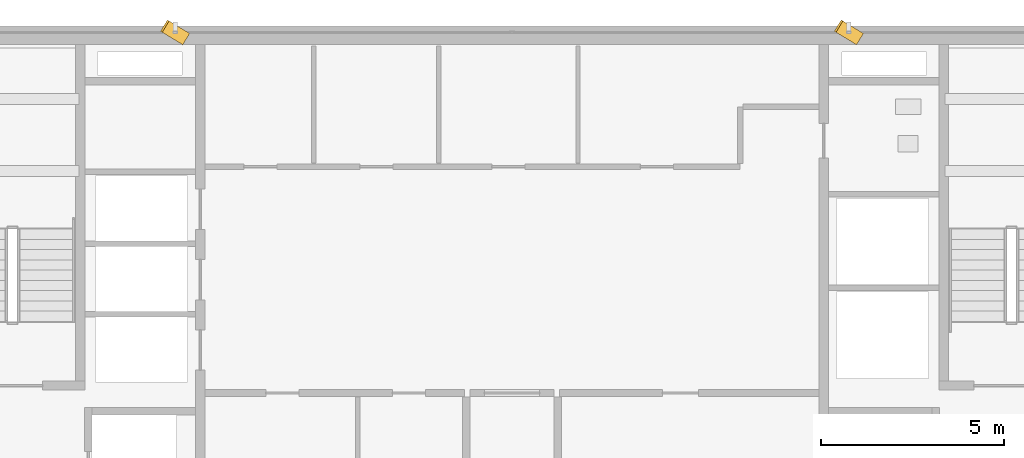
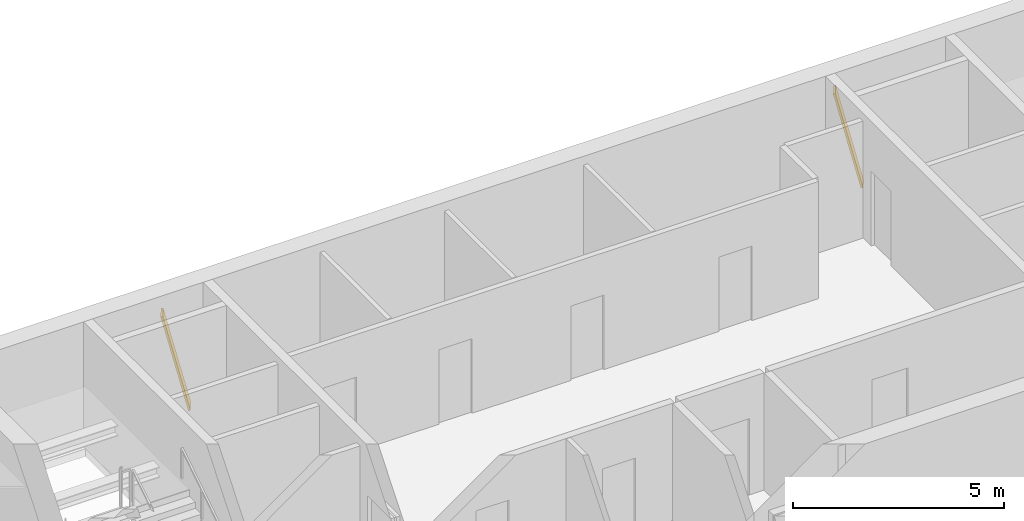
# One storey, part 28 of 29: 2 shading devices.
"""IFC4 building model written with IfcOpenShell, lengths in metres."""

from ifc_helpers import new_model, si_unit, direction, frame, origin, origin_2d, place, context, subcontext, project, spatial, rectangle, extrude, source, transform, mapped, material, material_profile, profile_set, type_object, element, save


model = new_model("IFC4")

# Units and contexts
model_context = context("Model", 3, precision=1e-05, world=origin(), true_north=direction((0.0, 1.0)))
body_context = subcontext(model_context, "Body", "Model", "MODEL_VIEW")
ifc_project = project(units=[si_unit("LENGTHUNIT", "METRE"), si_unit("AREAUNIT", "SQUARE_METRE"), si_unit("VOLUMEUNIT", "CUBIC_METRE"), si_unit("PLANEANGLEUNIT", "RADIAN"), si_unit("MASSUNIT", "GRAM", prefix="KILO")], contexts=[model_context])

# Site, building, storey
site_placement = place(None, origin())
site = spatial("IfcSite", under=ifc_project, at=site_placement, CompositionType="ELEMENT")
building_placement = place(site_placement, origin())
building = spatial("IfcBuilding", under=site, at=building_placement, Name="Sumidabori Civic Tower", CompositionType="ELEMENT")
storey_placement = place(building_placement, frame((0.0, 0.0, 207.199951171875)))
storey = spatial("IfcBuildingStorey", under=building, at=storey_placement, Name="L53", CompositionType="ELEMENT", Elevation=207.199951171875)

# Shading devices
ifc_material = material(Name="Anodised Bronze Aluminium AW-6063-T6", Category="aluminium")
ifc_material_profile = material_profile(ifc_material, rectangle(XDim=0.054931640625, YDim=0.360107421875, at=origin_2d()), Name="BRONZE FIN 360x55")
ifc_profile_set = profile_set([ifc_material_profile], Name="Anodised Bronze Aluminium AW-6063-T6")
shading_device_type = type_object("IfcShadingDeviceType", Name="SH-FIN-360", PredefinedType="USERDEFINED", material=ifc_profile_set)
shared_shape = source(origin(), body_context, "Body", "SweptSolid", [
    extrude(rectangle(XDim=0.054931640625, YDim=0.360107421875, at=origin_2d()), origin(), (0.0, 0.0, 1.0), 2.7783203125),
])
for number, where, z_axis, x_axis, name in (
    (1, (9.465087890625, 23.7099609375, 0.02001953125), (-0.201581748781, 0.122407748933, 0.971792746196), (0.830641884105, -0.504395878186, 0.235836507862), "Bronze Anodised Diagonal Fin L53-01"),
    (2, (-8.905029296875, 23.7099609375, 0.02001953125), (-0.201581748781, 0.122407748933, 0.971792746196), (0.830641884105, -0.504395878186, 0.235836507862), "Bronze Anodised Diagonal Fin L53-03"),
):
    element("IfcShadingDevice", number, at=place(storey_placement, frame(where, z_axis=z_axis, x_axis=x_axis)), inside=storey, type_object=shading_device_type, Name=name, ObjectType="FIN", PredefinedType="USERDEFINED", context=body_context, shape_type="MappedRepresentation", body=[
        mapped(shared_shape, transform((0.0, 0.0, 0.0), x_axis=(1.0, 0.0, 0.0), y_axis=(0.0, 1.0, 0.0), z_axis=(0.0, 0.0, 1.0), scale=1.0)),
    ])

save(model, "model.ifc")
